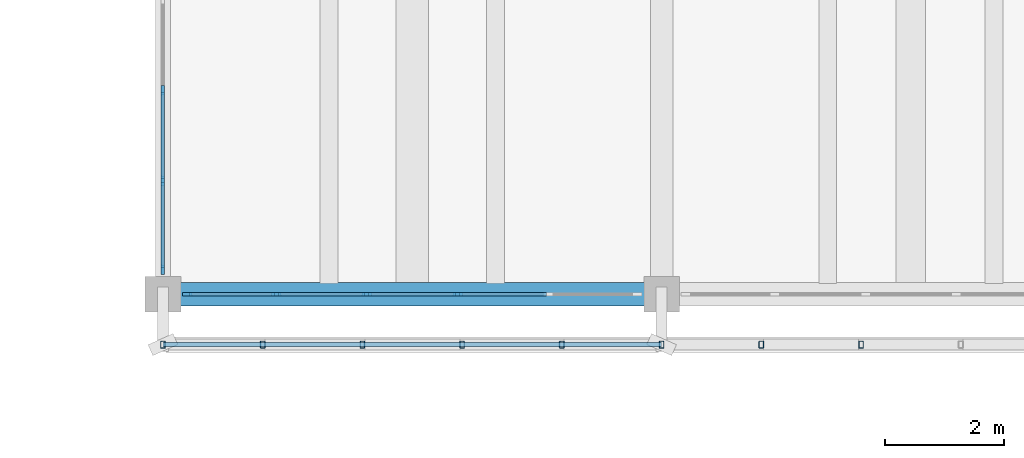
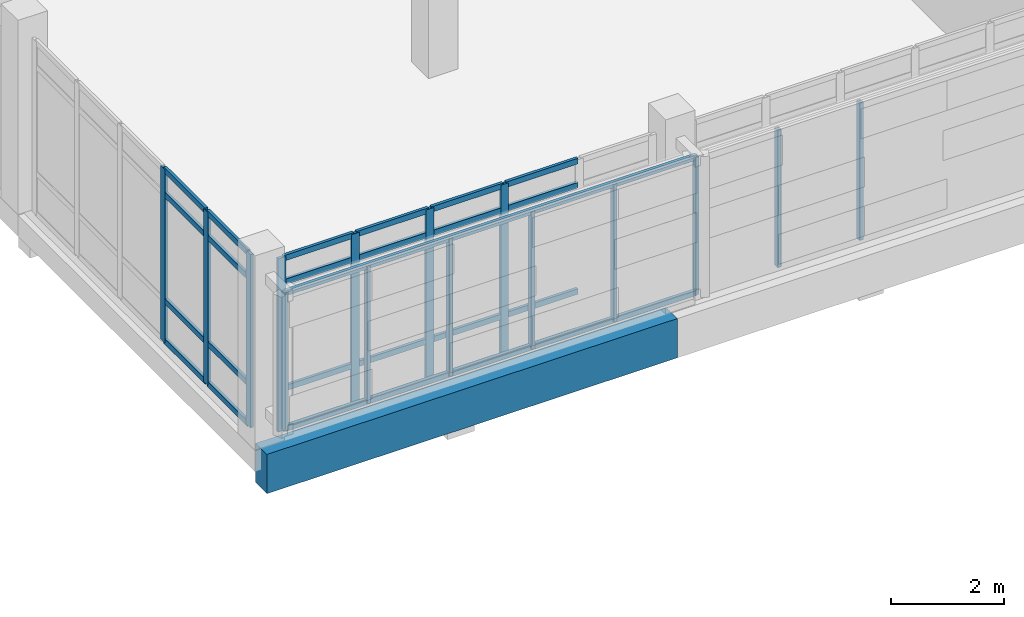
# One storey, part 43 of 137: 41 members, 1 beam, 2 elements without a shape of their own.
"""IFC4 building model written with IfcOpenShell, lengths in metres."""

from ifc_helpers import new_model, si_unit, direction, frame, origin, origin_2d, place, context, subcontext, project, spatial, rectangle, hollow_rectangle, extrude, material, material_profile, profile_set, type_object, element, aggregate, save


model = new_model("IFC4")

# Units and contexts
model_context = context("Model", 3, precision=1e-05, world=origin(), true_north=direction((0.0, 1.0)))
body_context = subcontext(model_context, "Body", "Model", "MODEL_VIEW")
ifc_project = project(units=[si_unit("LENGTHUNIT", "METRE"), si_unit("AREAUNIT", "SQUARE_METRE"), si_unit("VOLUMEUNIT", "CUBIC_METRE"), si_unit("PLANEANGLEUNIT", "RADIAN"), si_unit("MASSUNIT", "GRAM", prefix="KILO")], contexts=[model_context])

# Site, building, storey
site_placement = place(None, origin())
site = spatial("IfcSite", under=ifc_project, at=site_placement, CompositionType="ELEMENT")
building_placement = place(site_placement, origin())
building = spatial("IfcBuilding", under=site, at=building_placement, Name="Cinderway Yard Community Centre", CompositionType="ELEMENT")
storey_placement = place(building_placement, frame((0.0, 0.0, 4.800048828125)))
storey = spatial("IfcBuildingStorey", under=building, at=storey_placement, Name="L01", CompositionType="ELEMENT", Elevation=4.800048828125)

# Curtain wall, members
ifc_material_1 = material(Name="Aluminium 6063-T6", Category="aluminium")
curtain_wall_type = type_object("IfcCurtainWallType", Name="ENV-CW-TYPE-26", PredefinedType="USERDEFINED", material=ifc_material_1)
curtain_wall_1_placement = place(storey_placement, origin())
curtain_wall_1 = element("IfcCurtainWall", 1, at=curtain_wall_1_placement, inside=storey, type_object=curtain_wall_type, Name="V4 Courtyard Curtain Wall ENV-CW-L01-ST-0122", ObjectType="GLAZED CURTAIN WALL", PredefinedType="USERDEFINED")
ifc_material_profile_1 = material_profile(ifc_material_1, rectangle(XDim=0.06005859375, YDim=0.159912109375, at=origin_2d()), Name="Aluminium 6063-T6")
ifc_profile_set_1 = profile_set([ifc_material_profile_1], Name="Aluminium 6063-T6")
member_type_1 = type_object("IfcMemberType", Name="ENV-CW-MULL-150", PredefinedType="MULLION", material=ifc_profile_set_1)
member_1_placement = place(storey_placement, frame((42.010009765625, 90.0, 0.0), z_axis=(0.0, 0.0, 1.0), x_axis=(0.0, 1.0, 0.0)))
member_1 = element("IfcMember", 2, at=member_1_placement, type_object=member_type_1, Name="CW-26 mullion 1", PredefinedType="MULLION", context=body_context, shape_type="SweptSolid", body=[
    extrude(rectangle(XDim=0.06005859375, YDim=0.159912109375, at=origin_2d()), origin(), (0.0, 0.0, 1.0), 3.75),
])
member_2_placement = place(storey_placement, frame((43.508056640625, 90.0, 0.0), z_axis=(0.0, 0.0, 1.0), x_axis=(0.0, 1.0, 0.0)))
member_2 = element("IfcMember", 3, at=member_2_placement, type_object=member_type_1, Name="CW-26 mullion 2", PredefinedType="MULLION", context=body_context, shape_type="SweptSolid", body=[
    extrude(rectangle(XDim=0.06005859375, YDim=0.159912109375, at=origin_2d()), origin(), (0.0, 0.0, 1.0), 3.75),
])
member_3_placement = place(storey_placement, frame((45.035888671875, 90.0, 0.0), z_axis=(0.0, 0.0, 1.0), x_axis=(0.0, 1.0, 0.0)))
member_3 = element("IfcMember", 4, at=member_3_placement, type_object=member_type_1, Name="CW-26 mullion 3", PredefinedType="MULLION", context=body_context, shape_type="SweptSolid", body=[
    extrude(rectangle(XDim=0.06005859375, YDim=0.159912109375, at=origin_2d()), origin(), (0.0, 0.0, 1.0), 3.75),
])
member_4_placement = place(storey_placement, frame((46.56396484375, 90.0, 0.0), z_axis=(0.0, 0.0, 1.0), x_axis=(0.0, 1.0, 0.0)))
member_4 = element("IfcMember", 5, at=member_4_placement, type_object=member_type_1, Name="CW-26 mullion 4", PredefinedType="MULLION", context=body_context, shape_type="SweptSolid", body=[
    extrude(rectangle(XDim=0.06005859375, YDim=0.159912109375, at=origin_2d()), origin(), (0.0, 0.0, 1.0), 3.75),
])

curtain_wall_2_placement = place(storey_placement, origin())
curtain_wall_2 = element("IfcCurtainWall", 6, at=curtain_wall_2_placement, inside=storey, type_object=curtain_wall_type, Name="V4 West End Curtain Wall ENV-CW-L01-ST-0140", ObjectType="GLAZED CURTAIN WALL", PredefinedType="USERDEFINED")
member_5_placement = place(storey_placement, frame((41.60009765625, 90.409912109375, 0.0), z_axis=(0.0, 0.0, 1.0), x_axis=(-1.0, 0.0, 0.0)))
member_5 = element("IfcMember", 7, at=member_5_placement, type_object=member_type_1, Name="CW-26 mullion 1", PredefinedType="MULLION", context=body_context, shape_type="SweptSolid", body=[
    extrude(rectangle(XDim=0.06005859375, YDim=0.159912109375, at=origin_2d()), origin(), (0.0, 0.0, 1.0), 3.75),
])
member_6_placement = place(storey_placement, frame((41.60009765625, 91.907958984375, 0.0), z_axis=(0.0, 0.0, 1.0), x_axis=(-1.0, 0.0, 0.0)))
member_6 = element("IfcMember", 8, at=member_6_placement, type_object=member_type_1, Name="CW-26 mullion 2", PredefinedType="MULLION", context=body_context, shape_type="SweptSolid", body=[
    extrude(rectangle(XDim=0.06005859375, YDim=0.159912109375, at=origin_2d()), origin(), (0.0, 0.0, 1.0), 3.75),
])
member_7_placement = place(storey_placement, frame((41.60009765625, 93.43603515625, 0.0), z_axis=(0.0, 0.0, 1.0), x_axis=(-1.0, 0.0, 0.0)))
member_7 = element("IfcMember", 9, at=member_7_placement, type_object=member_type_1, Name="CW-26 mullion 3", PredefinedType="MULLION", context=body_context, shape_type="SweptSolid", body=[
    extrude(rectangle(XDim=0.06005859375, YDim=0.159912109375, at=origin_2d()), origin(), (0.0, 0.0, 1.0), 3.75),
])

# Member
ifc_material_profile_2 = material_profile(ifc_material_1, rectangle(XDim=0.06005859375, YDim=0.1201171875, at=origin_2d()), Name="Aluminium 6063-T6")
ifc_profile_set_2 = profile_set([ifc_material_profile_2], Name="Aluminium 6063-T6")
member_type_2 = type_object("IfcMemberType", Name="ENV-CW-TRAN-110", PredefinedType="USERDEFINED", material=ifc_profile_set_2)
member_8_placement = place(storey_placement, frame((42.0400390625, 90.0, 0.030029296875), z_axis=(1.0, 0.0, 0.0), x_axis=(0.0, 1.0, 0.0)))
member_8 = element("IfcMember", 10, at=member_8_placement, type_object=member_type_2, Name="CW-26 transom 1.1", ObjectType="TRANSOM", PredefinedType="USERDEFINED", context=body_context, shape_type="SweptSolid", body=[
    extrude(rectangle(XDim=0.06005859375, YDim=0.1201171875, at=origin_2d()), origin(), (0.0, 0.0, 1.0), 1.43798828125),
])

member_9_placement = place(storey_placement, frame((42.0400390625, 90.0, 0.89990234375), z_axis=(1.0, 0.0, 0.0), x_axis=(0.0, 1.0, 0.0)))
member_9 = element("IfcMember", 11, at=member_9_placement, type_object=member_type_2, Name="CW-26 transom 1.2", ObjectType="TRANSOM", PredefinedType="USERDEFINED", context=body_context, shape_type="SweptSolid", body=[
    extrude(rectangle(XDim=0.06005859375, YDim=0.1201171875, at=origin_2d()), origin(), (0.0, 0.0, 1.0), 1.43798828125),
])

member_10_placement = place(storey_placement, frame((42.0400390625, 90.0, 3.199951171875), z_axis=(1.0, 0.0, 0.0), x_axis=(0.0, 1.0, 0.0)))
member_10 = element("IfcMember", 12, at=member_10_placement, type_object=member_type_2, Name="CW-26 transom 1.3", ObjectType="TRANSOM", PredefinedType="USERDEFINED", context=body_context, shape_type="SweptSolid", body=[
    extrude(rectangle(XDim=0.06005859375, YDim=0.1201171875, at=origin_2d()), origin(), (0.0, 0.0, 1.0), 1.43798828125),
])

member_11_placement = place(storey_placement, frame((42.0400390625, 90.0, 3.719970703125), z_axis=(1.0, 0.0, 0.0), x_axis=(0.0, 1.0, 0.0)))
member_11 = element("IfcMember", 13, at=member_11_placement, type_object=member_type_2, Name="CW-26 transom 1.4", ObjectType="TRANSOM", PredefinedType="USERDEFINED", context=body_context, shape_type="SweptSolid", body=[
    extrude(rectangle(XDim=0.06005859375, YDim=0.1201171875, at=origin_2d()), origin(), (0.0, 0.0, 1.0), 1.43798828125),
])

member_12_placement = place(storey_placement, frame((43.5380859375, 90.0, 0.030029296875), z_axis=(1.0, 0.0, 0.0), x_axis=(0.0, 1.0, 0.0)))
member_12 = element("IfcMember", 14, at=member_12_placement, type_object=member_type_2, Name="CW-26 transom 2.1", ObjectType="TRANSOM", PredefinedType="USERDEFINED", context=body_context, shape_type="SweptSolid", body=[
    extrude(rectangle(XDim=0.06005859375, YDim=0.1201171875, at=origin_2d()), origin(), (0.0, 0.0, 1.0), 1.468017578125),
])

member_13_placement = place(storey_placement, frame((43.5380859375, 90.0, 0.89990234375), z_axis=(1.0, 0.0, 0.0), x_axis=(0.0, 1.0, 0.0)))
member_13 = element("IfcMember", 15, at=member_13_placement, type_object=member_type_2, Name="CW-26 transom 2.2", ObjectType="TRANSOM", PredefinedType="USERDEFINED", context=body_context, shape_type="SweptSolid", body=[
    extrude(rectangle(XDim=0.06005859375, YDim=0.1201171875, at=origin_2d()), origin(), (0.0, 0.0, 1.0), 1.468017578125),
])

member_14_placement = place(storey_placement, frame((43.5380859375, 90.0, 3.199951171875), z_axis=(1.0, 0.0, 0.0), x_axis=(0.0, 1.0, 0.0)))
member_14 = element("IfcMember", 16, at=member_14_placement, type_object=member_type_2, Name="CW-26 transom 2.3", ObjectType="TRANSOM", PredefinedType="USERDEFINED", context=body_context, shape_type="SweptSolid", body=[
    extrude(rectangle(XDim=0.06005859375, YDim=0.1201171875, at=origin_2d()), origin(), (0.0, 0.0, 1.0), 1.468017578125),
])

member_15_placement = place(storey_placement, frame((43.5380859375, 90.0, 3.719970703125), z_axis=(1.0, 0.0, 0.0), x_axis=(0.0, 1.0, 0.0)))
member_15 = element("IfcMember", 17, at=member_15_placement, type_object=member_type_2, Name="CW-26 transom 2.4", ObjectType="TRANSOM", PredefinedType="USERDEFINED", context=body_context, shape_type="SweptSolid", body=[
    extrude(rectangle(XDim=0.06005859375, YDim=0.1201171875, at=origin_2d()), origin(), (0.0, 0.0, 1.0), 1.468017578125),
])

member_16_placement = place(storey_placement, frame((45.06591796875, 90.0, 0.030029296875), z_axis=(1.0, 0.0, 0.0), x_axis=(0.0, 1.0, 0.0)))
member_16 = element("IfcMember", 18, at=member_16_placement, type_object=member_type_2, Name="CW-26 transom 3.1", ObjectType="TRANSOM", PredefinedType="USERDEFINED", context=body_context, shape_type="SweptSolid", body=[
    extrude(rectangle(XDim=0.06005859375, YDim=0.1201171875, at=origin_2d()), origin(), (0.0, 0.0, 1.0), 1.468017578125),
])

member_17_placement = place(storey_placement, frame((45.06591796875, 90.0, 0.89990234375), z_axis=(1.0, 0.0, 0.0), x_axis=(0.0, 1.0, 0.0)))
member_17 = element("IfcMember", 19, at=member_17_placement, type_object=member_type_2, Name="CW-26 transom 3.2", ObjectType="TRANSOM", PredefinedType="USERDEFINED", context=body_context, shape_type="SweptSolid", body=[
    extrude(rectangle(XDim=0.06005859375, YDim=0.1201171875, at=origin_2d()), origin(), (0.0, 0.0, 1.0), 1.468017578125),
])

member_18_placement = place(storey_placement, frame((45.06591796875, 90.0, 3.199951171875), z_axis=(1.0, 0.0, 0.0), x_axis=(0.0, 1.0, 0.0)))
member_18 = element("IfcMember", 20, at=member_18_placement, type_object=member_type_2, Name="CW-26 transom 3.3", ObjectType="TRANSOM", PredefinedType="USERDEFINED", context=body_context, shape_type="SweptSolid", body=[
    extrude(rectangle(XDim=0.06005859375, YDim=0.1201171875, at=origin_2d()), origin(), (0.0, 0.0, 1.0), 1.468017578125),
])

member_19_placement = place(storey_placement, frame((45.06591796875, 90.0, 3.719970703125), z_axis=(1.0, 0.0, 0.0), x_axis=(0.0, 1.0, 0.0)))
member_19 = element("IfcMember", 21, at=member_19_placement, type_object=member_type_2, Name="CW-26 transom 3.4", ObjectType="TRANSOM", PredefinedType="USERDEFINED", context=body_context, shape_type="SweptSolid", body=[
    extrude(rectangle(XDim=0.06005859375, YDim=0.1201171875, at=origin_2d()), origin(), (0.0, 0.0, 1.0), 1.468017578125),
])

member_20_placement = place(storey_placement, frame((46.593994140625, 90.0, 0.030029296875), z_axis=(1.0, 0.0, 0.0), x_axis=(0.0, 1.0, 0.0)))
member_20 = element("IfcMember", 22, at=member_20_placement, type_object=member_type_2, Name="CW-26 transom 4.1", ObjectType="TRANSOM", PredefinedType="USERDEFINED", context=body_context, shape_type="SweptSolid", body=[
    extrude(rectangle(XDim=0.06005859375, YDim=0.1201171875, at=origin_2d()), origin(), (0.0, 0.0, 1.0), 1.468017578125),
])

member_21_placement = place(storey_placement, frame((46.593994140625, 90.0, 0.89990234375), z_axis=(1.0, 0.0, 0.0), x_axis=(0.0, 1.0, 0.0)))
member_21 = element("IfcMember", 23, at=member_21_placement, type_object=member_type_2, Name="CW-26 transom 4.2", ObjectType="TRANSOM", PredefinedType="USERDEFINED", context=body_context, shape_type="SweptSolid", body=[
    extrude(rectangle(XDim=0.06005859375, YDim=0.1201171875, at=origin_2d()), origin(), (0.0, 0.0, 1.0), 1.468017578125),
])

member_22_placement = place(storey_placement, frame((46.593994140625, 90.0, 3.199951171875), z_axis=(1.0, 0.0, 0.0), x_axis=(0.0, 1.0, 0.0)))
member_22 = element("IfcMember", 24, at=member_22_placement, type_object=member_type_2, Name="CW-26 transom 4.3", ObjectType="TRANSOM", PredefinedType="USERDEFINED", context=body_context, shape_type="SweptSolid", body=[
    extrude(rectangle(XDim=0.06005859375, YDim=0.1201171875, at=origin_2d()), origin(), (0.0, 0.0, 1.0), 1.468017578125),
])

member_23_placement = place(storey_placement, frame((46.593994140625, 90.0, 3.719970703125), z_axis=(1.0, 0.0, 0.0), x_axis=(0.0, 1.0, 0.0)))
member_23 = element("IfcMember", 25, at=member_23_placement, type_object=member_type_2, Name="CW-26 transom 4.4", ObjectType="TRANSOM", PredefinedType="USERDEFINED", context=body_context, shape_type="SweptSolid", body=[
    extrude(rectangle(XDim=0.06005859375, YDim=0.1201171875, at=origin_2d()), origin(), (0.0, 0.0, 1.0), 1.468017578125),
])

aggregate(curtain_wall_1, [member_1, member_2, member_3, member_4, member_8, member_9, member_10, member_11, member_12, member_13, member_14, member_15, member_16, member_17, member_18, member_19, member_20, member_21, member_22, member_23])

member_24_placement = place(storey_placement, frame((41.60009765625, 90.43994140625, 0.030029296875), z_axis=(0.0, 1.0, 0.0), x_axis=(-1.0, 0.0, 0.0)))
member_24 = element("IfcMember", 26, at=member_24_placement, type_object=member_type_2, Name="CW-26 transom 1.1", ObjectType="TRANSOM", PredefinedType="USERDEFINED", context=body_context, shape_type="SweptSolid", body=[
    extrude(rectangle(XDim=0.06005859375, YDim=0.1201171875, at=origin_2d()), origin(), (0.0, 0.0, 1.0), 1.43798828125),
])

member_25_placement = place(storey_placement, frame((41.60009765625, 90.43994140625, 0.89990234375), z_axis=(0.0, 1.0, 0.0), x_axis=(-1.0, 0.0, 0.0)))
member_25 = element("IfcMember", 27, at=member_25_placement, type_object=member_type_2, Name="CW-26 transom 1.2", ObjectType="TRANSOM", PredefinedType="USERDEFINED", context=body_context, shape_type="SweptSolid", body=[
    extrude(rectangle(XDim=0.06005859375, YDim=0.1201171875, at=origin_2d()), origin(), (0.0, 0.0, 1.0), 1.43798828125),
])

member_26_placement = place(storey_placement, frame((41.60009765625, 90.43994140625, 3.199951171875), z_axis=(0.0, 1.0, 0.0), x_axis=(-1.0, 0.0, 0.0)))
member_26 = element("IfcMember", 28, at=member_26_placement, type_object=member_type_2, Name="CW-26 transom 1.3", ObjectType="TRANSOM", PredefinedType="USERDEFINED", context=body_context, shape_type="SweptSolid", body=[
    extrude(rectangle(XDim=0.06005859375, YDim=0.1201171875, at=origin_2d()), origin(), (0.0, 0.0, 1.0), 1.43798828125),
])

member_27_placement = place(storey_placement, frame((41.60009765625, 90.43994140625, 3.719970703125), z_axis=(0.0, 1.0, 0.0), x_axis=(-1.0, 0.0, 0.0)))
member_27 = element("IfcMember", 29, at=member_27_placement, type_object=member_type_2, Name="CW-26 transom 1.4", ObjectType="TRANSOM", PredefinedType="USERDEFINED", context=body_context, shape_type="SweptSolid", body=[
    extrude(rectangle(XDim=0.06005859375, YDim=0.1201171875, at=origin_2d()), origin(), (0.0, 0.0, 1.0), 1.43798828125),
])

member_28_placement = place(storey_placement, frame((41.60009765625, 91.93798828125, 0.030029296875), z_axis=(0.0, 1.0, 0.0), x_axis=(-1.0, 0.0, 0.0)))
member_28 = element("IfcMember", 30, at=member_28_placement, type_object=member_type_2, Name="CW-26 transom 2.1", ObjectType="TRANSOM", PredefinedType="USERDEFINED", context=body_context, shape_type="SweptSolid", body=[
    extrude(rectangle(XDim=0.06005859375, YDim=0.1201171875, at=origin_2d()), origin(), (0.0, 0.0, 1.0), 1.468017578125),
])

member_29_placement = place(storey_placement, frame((41.60009765625, 91.93798828125, 0.89990234375), z_axis=(0.0, 1.0, 0.0), x_axis=(-1.0, 0.0, 0.0)))
member_29 = element("IfcMember", 31, at=member_29_placement, type_object=member_type_2, Name="CW-26 transom 2.2", ObjectType="TRANSOM", PredefinedType="USERDEFINED", context=body_context, shape_type="SweptSolid", body=[
    extrude(rectangle(XDim=0.06005859375, YDim=0.1201171875, at=origin_2d()), origin(), (0.0, 0.0, 1.0), 1.468017578125),
])

member_30_placement = place(storey_placement, frame((41.60009765625, 91.93798828125, 3.199951171875), z_axis=(0.0, 1.0, 0.0), x_axis=(-1.0, 0.0, 0.0)))
member_30 = element("IfcMember", 32, at=member_30_placement, type_object=member_type_2, Name="CW-26 transom 2.3", ObjectType="TRANSOM", PredefinedType="USERDEFINED", context=body_context, shape_type="SweptSolid", body=[
    extrude(rectangle(XDim=0.06005859375, YDim=0.1201171875, at=origin_2d()), origin(), (0.0, 0.0, 1.0), 1.468017578125),
])

member_31_placement = place(storey_placement, frame((41.60009765625, 91.93798828125, 3.719970703125), z_axis=(0.0, 1.0, 0.0), x_axis=(-1.0, 0.0, 0.0)))
member_31 = element("IfcMember", 33, at=member_31_placement, type_object=member_type_2, Name="CW-26 transom 2.4", ObjectType="TRANSOM", PredefinedType="USERDEFINED", context=body_context, shape_type="SweptSolid", body=[
    extrude(rectangle(XDim=0.06005859375, YDim=0.1201171875, at=origin_2d()), origin(), (0.0, 0.0, 1.0), 1.468017578125),
])

aggregate(curtain_wall_2, [member_5, member_6, member_7, member_24, member_25, member_26, member_27, member_28, member_29, member_30, member_31])

# Members
ifc_material_2 = material(Name="Steel S355", Category="steel")
ifc_material_profile_3 = material_profile(ifc_material_2, hollow_rectangle(XDim=0.080078125, YDim=0.1201171875, WallThickness=0.00634765625, InnerFilletRadius=0.00634765625, OuterFilletRadius=0.0126953125, at=origin_2d()), Name="Steel S355")
ifc_profile_set_3 = profile_set([ifc_material_profile_3], Name="Steel S355")
member_type_3 = type_object("IfcMemberType", Name="ENV-MEM-SCREEN-RAIL-120", PredefinedType="STRINGER", material=ifc_profile_set_3)
for number, where, z_axis, x_axis, name in (
    (34, (41.60009765625, 89.14990234375, 0.7099609375), (1.0, 0.0, 0.0), (0.0, 1.0, 0.0), "Screen support rail 0317-BOT"),
    (35, (41.60009765625, 89.14990234375, 3.639892578125), (1.0, 0.0, 0.0), (0.0, 1.0, 0.0), "Screen support rail 0318-TOP"),
):
    element("IfcMember", number, at=place(storey_placement, frame(where, z_axis=z_axis, x_axis=x_axis)), inside=storey, type_object=member_type_3, Name=name, PredefinedType="STRINGER", context=body_context, shape_type="SweptSolid", body=[
        extrude(hollow_rectangle(XDim=0.080078125, YDim=0.1201171875, WallThickness=0.00634765625, InnerFilletRadius=0.00634765625, OuterFilletRadius=0.0126953125, at=origin_2d()), origin(), (0.0, 0.0, 1.0), 8.39990234375),
    ])
for number, where, z_axis, x_axis, name in (
    (36, (41.60009765625, 89.14990234375, 0.68994140625), (0.0, 0.0, 1.0), (1.0, 0.0, 0.0), "Screen vertical mullion 0319"),
    (37, (43.280029296875, 89.14990234375, 0.68994140625), (0.0, 0.0, 1.0), (1.0, 0.0, 0.0), "Screen vertical mullion 0320"),
    (38, (44.9599609375, 89.14990234375, 0.68994140625), (0.0, 0.0, 1.0), (1.0, 0.0, 0.0), "Screen vertical mullion 0321"),
    (39, (46.639892578125, 89.14990234375, 0.68994140625), (0.0, 0.0, 1.0), (1.0, 0.0, 0.0), "Screen vertical mullion 0322"),
    (40, (48.320068359375, 89.14990234375, 0.68994140625), (0.0, 0.0, 1.0), (1.0, 0.0, 0.0), "Screen vertical mullion 0323"),
    (41, (50.0, 89.14990234375, 0.68994140625), (0.0, 0.0, 1.0), (1.0, 0.0, 0.0), "Screen vertical mullion 0324"),
    (42, (51.679931640625, 89.14990234375, 0.68994140625), (0.0, 0.0, 1.0), (1.0, 0.0, 0.0), "Screen vertical mullion 0328"),
    (43, (53.360107421875, 89.14990234375, 0.68994140625), (0.0, 0.0, 1.0), (1.0, 0.0, 0.0), "Screen vertical mullion 0329"),
):
    element("IfcMember", number, at=place(storey_placement, frame(where, z_axis=z_axis, x_axis=x_axis)), inside=storey, type_object=member_type_3, Name=name, PredefinedType="STRINGER", context=body_context, shape_type="SweptSolid", body=[
        extrude(hollow_rectangle(XDim=0.080078125, YDim=0.1201171875, WallThickness=0.00634765625, InnerFilletRadius=0.00634765625, OuterFilletRadius=0.0126953125, at=origin_2d()), origin(), (0.0, 0.0, 1.0), 2.969970703125),
    ])

# Beam
ifc_material_3 = material(Name="Concrete C40/50", Category="concrete")
ifc_material_profile_4 = material_profile(ifc_material_3, rectangle(XDim=0.39990234375, YDim=0.85009765625, at=origin_2d()), Name="Concrete C40/50")
ifc_profile_set_4 = profile_set([ifc_material_profile_4], Name="Concrete C40/50")
beam_type = type_object("IfcBeamType", Name="STR-BM-RC400X850", PredefinedType="BEAM", material=ifc_profile_set_4)
beam_placement = place(storey_placement, frame((41.60009765625, 90.0, -0.68505859375), z_axis=(1.0, 0.0, 0.0), x_axis=(0.0, 1.0, 0.0)))
element("IfcBeam", 44, at=beam_placement, inside=storey, type_object=beam_type, Name="Primary girder STR-BM-L01-BG04-0172", PredefinedType="BEAM", context=body_context, shape_type="SweptSolid", body=[
    extrude(rectangle(XDim=0.39990234375, YDim=0.85009765625, at=origin_2d()), origin(), (0.0, 0.0, 1.0), 8.39990234375),
])

save(model, "model.ifc")
